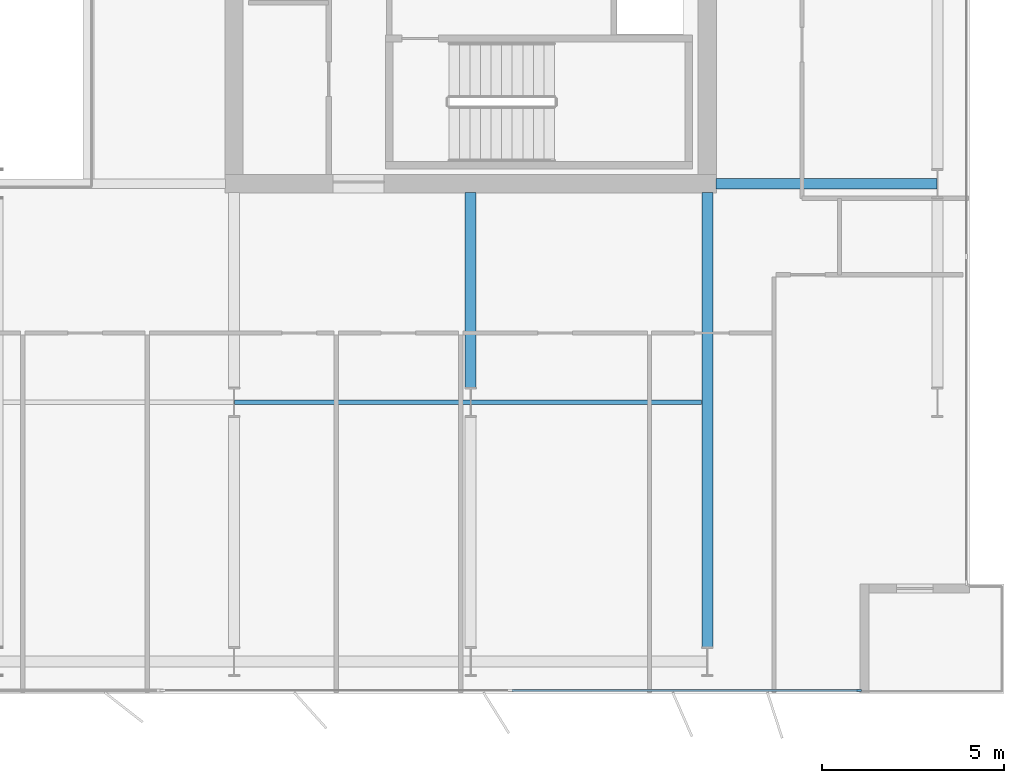
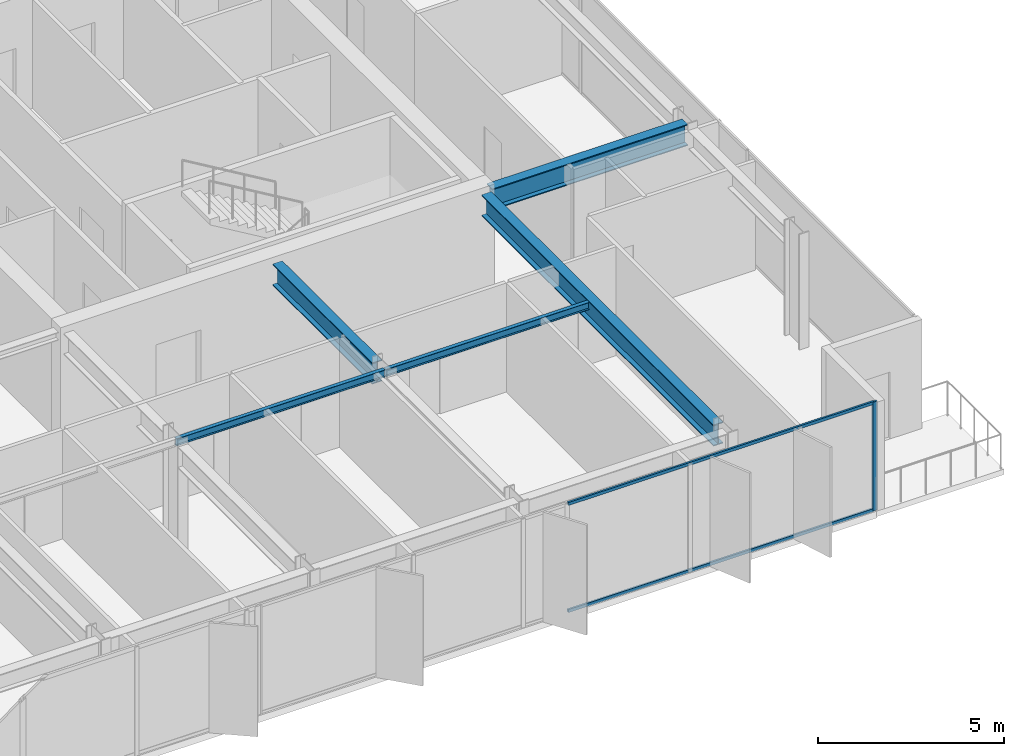
# One storey, part 8 of 24: 5 beams, 3 members, 1 element without a shape of its own.
"""IFC4 building model written with IfcOpenShell, lengths in metres."""

from ifc_helpers import new_model, si_unit, direction, frame, origin, origin_2d, place, context, subcontext, project, spatial, rectangle, i_section, extrude, material, layer, layer_set, material_profile, profile_set, type_object, element, aggregate, save


model = new_model("IFC4")

# Units and contexts
model_context = context("Model", 3, precision=1e-05, world=origin(), true_north=direction((0.0, 1.0)))
body_context = subcontext(model_context, "Body", "Model", "MODEL_VIEW")
ifc_project = project(units=[si_unit("LENGTHUNIT", "METRE"), si_unit("AREAUNIT", "SQUARE_METRE"), si_unit("VOLUMEUNIT", "CUBIC_METRE"), si_unit("PLANEANGLEUNIT", "RADIAN"), si_unit("MASSUNIT", "GRAM", prefix="KILO")], contexts=[model_context])

# Site, building, storey
site_placement = place(None, origin())
site = spatial("IfcSite", under=ifc_project, at=site_placement, CompositionType="ELEMENT")
building_placement = place(site_placement, origin())
building = spatial("IfcBuilding", under=site, at=building_placement, Name="Putna Gate Headquarters", CompositionType="ELEMENT")
storey_placement = place(building_placement, frame((0.0, 0.0, 240.39990234375)))
storey = spatial("IfcBuildingStorey", under=building, at=storey_placement, Name="L60", CompositionType="ELEMENT", Elevation=240.39990234375)

# Beams
ifc_material_1 = material(Name="Steel S355J2", Category="steel")
ifc_material_profile_1 = material_profile(ifc_material_1, i_section(OverallWidth=0.300048828125, OverallDepth=0.699951171875, WebThickness=0.01708984375, FlangeThickness=0.031982421875, at=origin_2d()), Name="Steel S355J2")
ifc_profile_set_1 = profile_set([ifc_material_profile_1], Name="Steel S355J2")
beam_type_1 = type_object("IfcBeamType", Name="BM-GIRD-B-HEB700", PredefinedType="USERDEFINED", material=ifc_profile_set_1)
beam_1_placement = place(storey_placement, frame((65.235107421875, 19.0, 3.22998046875), z_axis=(1.0, 0.0, 0.0), x_axis=(0.0, 1.0, 0.0)))
element("IfcBeam", 1, at=beam_1_placement, inside=storey, type_object=beam_type_1, Name="L60 East Wing Girder Y19", ObjectType="GIRDER", PredefinedType="USERDEFINED", context=body_context, shape_type="SweptSolid", body=[
    extrude(i_section(OverallWidth=0.300048828125, OverallDepth=0.699951171875, WebThickness=0.01708984375, FlangeThickness=0.031982421875, at=origin_2d()), origin(), (0.0, 0.0, 1.0), 6.078857421875),
])
beam_2_placement = place(storey_placement, frame((58.5, 13.39501953125, 3.22998046875), z_axis=(0.0, 1.0, 0.0), x_axis=(-1.0, 0.0, 0.0)))
element("IfcBeam", 2, at=beam_2_placement, inside=storey, type_object=beam_type_1, Name="L60 South Primary Girder X58-2", ObjectType="GIRDER", PredefinedType="USERDEFINED", context=body_context, shape_type="SweptSolid", body=[
    extrude(i_section(OverallWidth=0.300048828125, OverallDepth=0.699951171875, WebThickness=0.01708984375, FlangeThickness=0.031982421875, at=origin_2d()), origin(), (0.0, 0.0, 1.0), 5.369873046875),
])
beam_3_placement = place(storey_placement, frame((65.0, 6.27490234375, 3.22998046875), z_axis=(0.0, 1.0, 0.0), x_axis=(-1.0, 0.0, 0.0)))
element("IfcBeam", 3, at=beam_3_placement, inside=storey, type_object=beam_type_1, Name="L60 South Primary Girder X65", ObjectType="GIRDER", PredefinedType="USERDEFINED", context=body_context, shape_type="SweptSolid", body=[
    extrude(i_section(OverallWidth=0.300048828125, OverallDepth=0.699951171875, WebThickness=0.01708984375, FlangeThickness=0.031982421875, at=origin_2d()), origin(), (0.0, 0.0, 1.0), 12.489990234375),
])
ifc_material_profile_2 = material_profile(ifc_material_1, i_section(OverallWidth=0.1201171875, OverallDepth=0.239990234375, WebThickness=0.006103515625, FlangeThickness=0.009765625, at=origin_2d()), Name="Steel S355J2")
ifc_profile_set_2 = profile_set([ifc_material_profile_2], Name="Steel S355J2")
beam_type_2 = type_object("IfcBeamType", Name="BM-SEC-Z4-IPE240", PredefinedType="JOIST", material=ifc_profile_set_2)
beam_4_placement = place(storey_placement, frame((52.006103515625, 13.0, 3.460205078125), z_axis=(1.0, 0.0, 0.0), x_axis=(0.0, 1.0, 0.0)))
element("IfcBeam", 4, at=beam_4_placement, inside=storey, type_object=beam_type_2, Name="L60 South Secondary Beam 7", PredefinedType="JOIST", context=body_context, shape_type="SweptSolid", body=[
    extrude(i_section(OverallWidth=0.1201171875, OverallDepth=0.239990234375, WebThickness=0.006103515625, FlangeThickness=0.009765625, at=origin_2d()), origin(), (0.0, 0.0, 1.0), 6.48779296875),
])
beam_5_placement = place(storey_placement, frame((58.506103515625, 13.0, 3.460205078125), z_axis=(1.0, 0.0, 0.0), x_axis=(0.0, 1.0, 0.0)))
element("IfcBeam", 5, at=beam_5_placement, inside=storey, type_object=beam_type_2, Name="L60 South Secondary Beam 8", PredefinedType="JOIST", context=body_context, shape_type="SweptSolid", body=[
    extrude(i_section(OverallWidth=0.1201171875, OverallDepth=0.239990234375, WebThickness=0.006103515625, FlangeThickness=0.009765625, at=origin_2d()), origin(), (0.0, 0.0, 1.0), 6.33984375),
])

# Curtain wall, members
ifc_material_2 = material(Name="Anodised bronze aluminium curtain wall", Category="aluminium")
ifc_layer = layer(ifc_material_2, 0.139892578125)
ifc_layer_set = layer_set([ifc_layer], Name="Anodised bronze aluminium curtain wall")
curtain_wall_type = type_object("IfcCurtainWallType", Name="CW-SYS-Z4", PredefinedType="USERDEFINED", material=ifc_layer_set)
curtain_wall_placement = place(storey_placement, origin())
curtain_wall = element("IfcCurtainWall", 6, at=curtain_wall_placement, inside=storey, type_object=curtain_wall_type, Name="L60 South East Curtain Wall", ObjectType="STICK CURTAIN WALL", PredefinedType="USERDEFINED")
ifc_material_3 = material(Name="Anodised bronze aluminium EN AW-6060", Category="aluminium")
ifc_material_profile_3 = material_profile(ifc_material_3, rectangle(XDim=0.06005859375, YDim=0.139892578125, at=origin_2d()), Name="Anodised bronze aluminium EN AW-6060")
ifc_profile_set_3 = profile_set([ifc_material_profile_3], Name="Anodised bronze aluminium EN AW-6060")
member_type_1 = type_object("IfcMemberType", Name="MULL-CWM-4", PredefinedType="MULLION", material=ifc_profile_set_3)
member_1_placement = place(storey_placement, frame((69.169921875, 5.080078125, 0.0), z_axis=(0.0, 0.0, 1.0), x_axis=(0.0, 1.0, 0.0)))
member_1 = element("IfcMember", 7, at=member_1_placement, type_object=member_type_1, Name="CWS-4 mullion 3", PredefinedType="MULLION", context=body_context, shape_type="SweptSolid", body=[
    extrude(rectangle(XDim=0.06005859375, YDim=0.139892578125, at=origin_2d()), origin(), (0.0, 0.0, 1.0), 3.580078125),
])
ifc_material_profile_4 = material_profile(ifc_material_3, rectangle(XDim=0.06005859375, YDim=0.10009765625, at=origin_2d()), Name="Anodised bronze aluminium EN AW-6060")
ifc_profile_set_4 = profile_set([ifc_material_profile_4], Name="Anodised bronze aluminium EN AW-6060")
member_type_2 = type_object("IfcMemberType", Name="TRAN-CWT-4", PredefinedType="USERDEFINED", material=ifc_profile_set_4)
member_2_placement = place(storey_placement, frame((59.6298828125, 5.080078125, 0.030029296875), z_axis=(1.0, 0.0, 0.0), x_axis=(0.0, 1.0, 0.0)))
member_2 = element("IfcMember", 8, at=member_2_placement, type_object=member_type_2, Name="CWS-4 transom 2.1", ObjectType="TRANSOM", PredefinedType="USERDEFINED", context=body_context, shape_type="SweptSolid", body=[
    extrude(rectangle(XDim=0.06005859375, YDim=0.10009765625, at=origin_2d()), origin(), (0.0, 0.0, 1.0), 9.510009765625),
])
member_3_placement = place(storey_placement, frame((59.6298828125, 5.080078125, 3.550048828125), z_axis=(1.0, 0.0, 0.0), x_axis=(0.0, 1.0, 0.0)))
member_3 = element("IfcMember", 9, at=member_3_placement, type_object=member_type_2, Name="CWS-4 transom 2.2", ObjectType="TRANSOM", PredefinedType="USERDEFINED", context=body_context, shape_type="SweptSolid", body=[
    extrude(rectangle(XDim=0.06005859375, YDim=0.10009765625, at=origin_2d()), origin(), (0.0, 0.0, 1.0), 9.510009765625),
])
aggregate(curtain_wall, [member_1, member_2, member_3])

save(model, "model.ifc")
